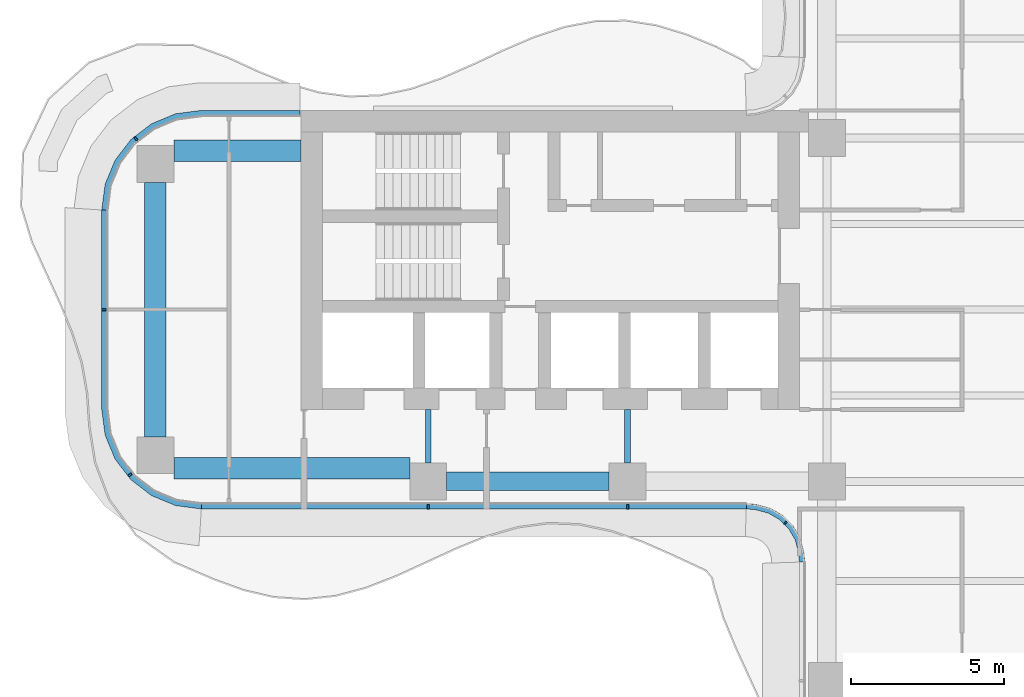
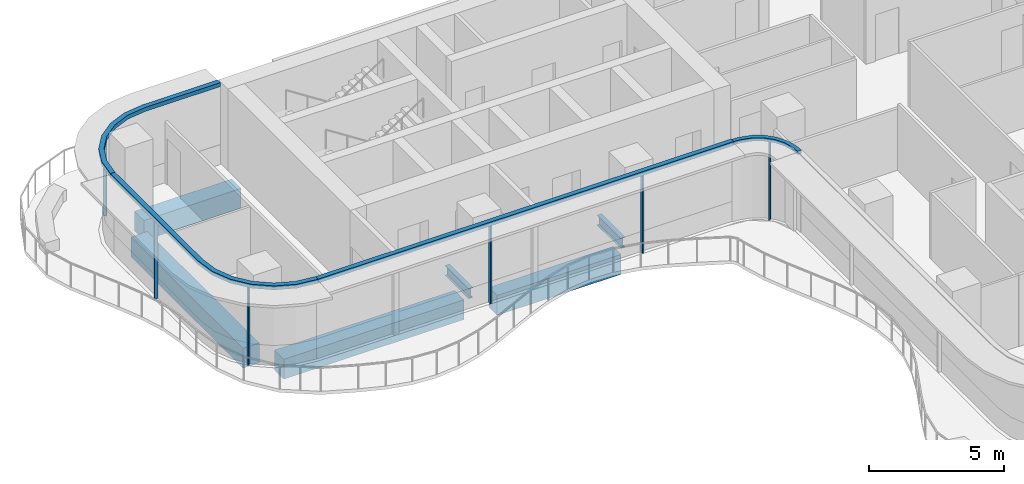
# One storey, part 3 of 18: 10 members, 6 beams, 4 elements without a shape of their own.
"""IFC4 building model written with IfcOpenShell, lengths in metres."""

from ifc_helpers import new_model, si_unit, direction, frame, origin, origin_2d, place, context, subcontext, project, spatial, polyline, rectangle, i_section, outline, extrude, source, transform, mapped, material, layer, layer_set, material_profile, profile_set, type_object, element, aggregate, save


model = new_model("IFC4")

# Units and contexts
model_context = context("Model", 3, precision=1e-05, world=origin(), true_north=direction((0.0, 1.0)))
body_context = subcontext(model_context, "Body", "Model", "MODEL_VIEW")
ifc_project = project(units=[si_unit("LENGTHUNIT", "METRE"), si_unit("AREAUNIT", "SQUARE_METRE"), si_unit("VOLUMEUNIT", "CUBIC_METRE"), si_unit("PLANEANGLEUNIT", "RADIAN"), si_unit("MASSUNIT", "GRAM", prefix="KILO")], contexts=[model_context])

# Site, building, storey
site_placement = place(None, origin())
site = spatial("IfcSite", under=ifc_project, at=site_placement, CompositionType="ELEMENT")
building_placement = place(site_placement, origin())
building = spatial("IfcBuilding", under=site, at=building_placement, Name="Trellis Farm Tower", CompositionType="ELEMENT")
storey_placement = place(building_placement, frame((0.0, 0.0, 201.0)))
storey = spatial("IfcBuildingStorey", under=building, at=storey_placement, Name="L44", CompositionType="ELEMENT", Elevation=201.0)

# Beams
ifc_material_1 = material(Name="Concrete C60/75", Category="concrete")
ifc_material_profile_1 = material_profile(ifc_material_1, rectangle(XDim=0.60009765625, YDim=0.89990234375, at=origin_2d()), Name="RC spandrel beam 600x900 C60/75")
ifc_profile_set_1 = profile_set([ifc_material_profile_1], Name="Concrete C60/75")
beam_type_1 = type_object("IfcBeamType", Name="RC spandrel beam 600x900 C60/75", PredefinedType="SPANDREL", material=ifc_profile_set_1)
shared_shape_1 = source(origin(), body_context, "Body", "SweptSolid", [
    extrude(rectangle(XDim=0.60009765625, YDim=0.89990234375, at=origin_2d()), origin(), (0.0, 0.0, 1.0), 5.300048828125),
])
beam_1_placement = place(storey_placement, frame((-18.0, -5.60009765625, -0.64990234375), z_axis=(1.0, 0.0, 0.0), x_axis=(0.0, 1.0, 0.0)))
element("IfcBeam", 1, at=beam_1_placement, inside=storey, type_object=beam_type_1, Name="Girder", PredefinedType="SPANDREL", context=body_context, shape_type="MappedRepresentation", body=[
    mapped(shared_shape_1, transform((0.0, 0.0, 0.0))),
])
ifc_material_profile_2 = material_profile(ifc_material_1, rectangle(XDim=0.699951171875, YDim=0.89990234375, at=origin_2d()), Name="RC spandrel beam 700x900 C60/75")
ifc_profile_set_2 = profile_set([ifc_material_profile_2], Name="Concrete C60/75")
beam_type_2 = type_object("IfcBeamType", Name="RC spandrel beam 700x900 C60/75", PredefinedType="SPANDREL", material=ifc_profile_set_2)
shared_shape_2 = source(origin(), body_context, "Body", "SweptSolid", [
    extrude(rectangle(XDim=0.699951171875, YDim=0.89990234375, at=origin_2d()), origin(), (0.0, 0.0, 1.0), 8.2998046875),
])
beam_2_placement = place(storey_placement, frame((-27.5, -4.14990234375, -0.64990234375), z_axis=(0.0, 1.0, 0.0), x_axis=(-1.0, 0.0, 0.0)))
element("IfcBeam", 2, at=beam_2_placement, inside=storey, type_object=beam_type_2, Name="Girder", PredefinedType="SPANDREL", context=body_context, shape_type="MappedRepresentation", body=[
    mapped(shared_shape_2, transform((0.0, 0.0, 0.0))),
])
ifc_material_2 = material(Name="Steel S355", Category="steel")
ifc_material_profile_3 = material_profile(ifc_material_2, i_section(OverallWidth=0.1904296875, OverallDepth=0.45703125, WebThickness=0.009033203125, FlangeThickness=0.014404296875, FilletRadius=0.01025390625, at=origin_2d()), Name="UB 457x191x74")
ifc_profile_set_3 = profile_set([ifc_material_profile_3], Name="Steel S355")
beam_type_3 = type_object("IfcBeamType", Name="UB 457x191x74", PredefinedType="BEAM", material=ifc_profile_set_3)
shared_shape_3 = source(origin(), body_context, "Body", "SweptSolid", [
    extrude(i_section(OverallWidth=0.1904296875, OverallDepth=0.45703125, WebThickness=0.009033203125, FlangeThickness=0.014404296875, FilletRadius=0.01025390625, at=origin_2d()), origin(), (0.0, 0.0, 1.0), 1.75),
])
for number, where, z_axis, x_axis, name in (
    (3, (-18.60009765625, -5.0, -0.428466796875), (0.0, 1.0, 0.0), (-1.0, 0.0, 0.0), "Girder"),
    (4, (-12.10009765625, -5.0, -0.428466796875), (0.0, 1.0, 0.0), (-1.0, 0.0, 0.0), "Girder"),
):
    element("IfcBeam", number, at=place(storey_placement, frame(where, z_axis=z_axis, x_axis=x_axis)), inside=storey, type_object=beam_type_3, Name=name, PredefinedType="BEAM", context=body_context, shape_type="MappedRepresentation", body=[
        mapped(shared_shape_3, transform((0.0, 0.0, 0.0))),
    ])
shared_shape_4 = source(origin(), body_context, "Body", "SweptSolid", [
    extrude(rectangle(XDim=0.699951171875, YDim=0.89990234375, at=origin_2d()), origin(), (0.0, 0.0, 1.0), 7.699951171875),
])
beam_3_placement = place(storey_placement, frame((-26.89990234375, -5.175048828125, -0.64990234375), z_axis=(1.0, 0.0, 0.0), x_axis=(0.0, 1.0, 0.0)))
element("IfcBeam", 5, at=beam_3_placement, inside=storey, type_object=beam_type_2, Name="Girder", PredefinedType="SPANDREL", context=body_context, shape_type="MappedRepresentation", body=[
    mapped(shared_shape_4, transform((0.0, 0.0, 0.0))),
])
shared_shape_5 = source(origin(), body_context, "Body", "SweptSolid", [
    extrude(rectangle(XDim=0.699951171875, YDim=0.89990234375, at=origin_2d()), origin(), (0.0, 0.0, 1.0), 4.14990234375),
])
beam_4_placement = place(storey_placement, frame((-26.89990234375, 5.175048828125, -0.64990234375), z_axis=(1.0, 0.0, 0.0), x_axis=(0.0, 1.0, 0.0)))
element("IfcBeam", 6, at=beam_4_placement, inside=storey, type_object=beam_type_2, Name="Girder", PredefinedType="SPANDREL", context=body_context, shape_type="MappedRepresentation", body=[
    mapped(shared_shape_5, transform((0.0, 0.0, 0.0))),
])

# Curtain wall, member
ifc_material_3 = material(Name="Aluminium and glass curtain wall", Category="aluminium")
ifc_layer_1 = layer(ifc_material_3, 0.166015625)
ifc_layer_set_1 = layer_set([ifc_layer_1], Name="WINTER GARDEN CURTAIN WALL CW3")
curtain_wall_type_1 = type_object("IfcCurtainWallType", Name="WINTER GARDEN CURTAIN WALL CW3", PredefinedType="NOTDEFINED", material=ifc_layer_set_1)
placement_1 = place(storey_placement, origin())
curtain_wall_1 = element("IfcCurtainWall", 7, at=placement_1, inside=storey, type_object=curtain_wall_type_1, Name="CW3 001", PredefinedType="NOTDEFINED")
ifc_material_4 = material(Name="Aluminium extrusion 6063-T6", Category="aluminium")
ifc_layer_2 = layer(ifc_material_4, 0.169921875)
ifc_layer_set_2 = layer_set([ifc_layer_2], Name="Aluminium extrusion 6063-T6")
member_type_1 = type_object("IfcMemberType", Name="CW3 TRANSOM 170x150", PredefinedType="USERDEFINED", material=ifc_layer_set_2)
shared_shape_6 = source(origin(), body_context, "Body", "SweptSolid", [
    extrude(outline(polyline([(-8.2314453125, -6.5), (-8.01953125, -6.513916015625), (-7.91552734375, -6.527587890625), (-7.508544921875, -6.63671875), (-7.144287109375, -6.846923828125), (-6.846923828125, -7.144287109375), (-6.63671875, -7.508544921875), (-6.527587890625, -7.91552734375), (-6.513916015625, -8.01953125), (-6.5, -8.2314453125), (-6.330078125, -8.225830078125), (-6.3447265625, -8.0029296875), (-6.360595703125, -7.88232421875), (-6.478271484375, -7.44287109375), (-6.7109375, -7.0400390625), (-7.0400390625, -6.7109375), (-7.44287109375, -6.478271484375), (-7.88232421875, -6.360595703125), (-8.0029296875, -6.3447265625), (-8.225830078125, -6.330078125), (-8.2314453125, -6.5)])), origin(), (0.0, 0.0, 1.0), 0.14990234375),
])
member_1_placement = place(storey_placement, frame((0.0, 0.0, 3.550048828125)))
member_1 = element("IfcMember", 8, at=member_1_placement, type_object=member_type_1, Name="TR3 001", ObjectType="TRANSOM", PredefinedType="USERDEFINED", context=body_context, shape_type="MappedRepresentation", body=[
    mapped(shared_shape_6, transform((0.0, 0.0, 0.0))),
])

# Curtain wall, members
ifc_layer_3 = layer(ifc_material_3, 0.18994140625)
ifc_layer_set_3 = layer_set([ifc_layer_3], Name="RIBBON CURTAIN WALL CW1")
curtain_wall_type_2 = type_object("IfcCurtainWallType", Name="RIBBON CURTAIN WALL CW1", PredefinedType="NOTDEFINED", material=ifc_layer_set_3)
curtain_wall_2 = element("IfcCurtainWall", 9, at=placement_1, inside=storey, type_object=curtain_wall_type_2, Name="CW1 001", PredefinedType="NOTDEFINED")
ifc_material_profile_4 = material_profile(ifc_material_4, rectangle(XDim=0.06005859375, YDim=0.14990234375, at=origin_2d()), Name="MULLION 60x150")
ifc_profile_set_4 = profile_set([ifc_material_profile_4], Name="Aluminium extrusion 6063-T6")
member_type_2 = type_object("IfcMemberType", Name="CW1 MULLION 60x150", PredefinedType="MULLION", material=ifc_profile_set_4)
shared_shape_7 = source(origin(), body_context, "Body", "SweptSolid", [
    extrude(rectangle(XDim=0.06005859375, YDim=0.14990234375, at=origin_2d()), origin(), (0.0, 0.0, 1.0), 3.52001953125),
])
member_2_placement = place(storey_placement, frame((-18.60009765625, -6.425048828125, 0.0), z_axis=(0.0, 0.0, 1.0), x_axis=(1.0, 0.0, 0.0)))
member_2 = element("IfcMember", 10, at=member_2_placement, type_object=member_type_2, Name="MU1 001-01", PredefinedType="MULLION", context=body_context, shape_type="MappedRepresentation", body=[
    mapped(shared_shape_7, transform((0.0, 0.0, 0.0))),
])
member_3_placement = place(storey_placement, frame((-12.10009765625, -6.425048828125, 0.0), z_axis=(0.0, 0.0, 1.0), x_axis=(1.0, 0.0, 0.0)))
member_3 = element("IfcMember", 11, at=member_3_placement, type_object=member_type_2, Name="MU1 001-02", PredefinedType="MULLION", context=body_context, shape_type="MappedRepresentation", body=[
    mapped(shared_shape_7, transform((0.0, 0.0, 0.0))),
])

# Curtain wall, member
curtain_wall_3 = element("IfcCurtainWall", 12, at=placement_1, inside=storey, type_object=curtain_wall_type_2, Name="CW1 012", PredefinedType="NOTDEFINED")
member_4_placement = place(storey_placement, frame((-28.135498046875, 5.578369140625, 0.0), z_axis=(0.0, 0.0, 1.0), x_axis=(-0.793353340291, -0.608761429009, 0.0)))
member_4 = element("IfcMember", 13, at=member_4_placement, type_object=member_type_2, Name="MU1 012-01", PredefinedType="MULLION", context=body_context, shape_type="MappedRepresentation", body=[
    mapped(shared_shape_7, transform((0.0, 0.0, 0.0))),
])

# Curtain wall, members
curtain_wall_4 = element("IfcCurtainWall", 14, at=placement_1, inside=storey, type_object=curtain_wall_type_2, Name="CW1 013", PredefinedType="NOTDEFINED")
member_5_placement = place(storey_placement, frame((-29.175048828125, 0.0, 0.0), z_axis=(0.0, 0.0, 1.0), x_axis=(0.0, -1.0, 0.0)))
member_5 = element("IfcMember", 15, at=member_5_placement, type_object=member_type_2, Name="MU1 013-01", PredefinedType="MULLION", context=body_context, shape_type="MappedRepresentation", body=[
    mapped(shared_shape_7, transform((0.0, 0.0, 0.0))),
])
member_6_placement = place(storey_placement, frame((-28.328369140625, -5.385498046875, 0.0), z_axis=(0.0, 0.0, 1.0), x_axis=(0.608761429009, -0.793353340291, 0.0)))
member_6 = element("IfcMember", 16, at=member_6_placement, type_object=member_type_2, Name="MU1 013-02", PredefinedType="MULLION", context=body_context, shape_type="MappedRepresentation", body=[
    mapped(shared_shape_7, transform((0.0, 0.0, 0.0))),
])

# Member
ifc_material_profile_5 = material_profile(ifc_material_4, rectangle(XDim=0.050048828125, YDim=0.1201171875, at=origin_2d()), Name="MULLION 50x120")
ifc_profile_set_5 = profile_set([ifc_material_profile_5], Name="Aluminium extrusion 6063-T6")
member_type_3 = type_object("IfcMemberType", Name="CW3 MULLION 50x120", PredefinedType="MULLION", material=ifc_profile_set_5)
shared_shape_8 = source(origin(), body_context, "Body", "SweptSolid", [
    extrude(rectangle(XDim=0.050048828125, YDim=0.1201171875, at=origin_2d()), origin(), (0.0, 0.0, 1.0), 3.550048828125),
])
member_7_placement = place(storey_placement, frame((-6.953125, -6.953125, 0.0), z_axis=(0.0, 0.0, 1.0), x_axis=(0.707106781187, -0.707106781187, 0.0)))
member_7 = element("IfcMember", 17, at=member_7_placement, type_object=member_type_3, Name="MU3 001-01", PredefinedType="MULLION", context=body_context, shape_type="MappedRepresentation", body=[
    mapped(shared_shape_8, transform((0.0, 0.0, 0.0))),
])

aggregate(curtain_wall_1, [member_7, member_1])

ifc_layer_4 = layer(ifc_material_4, 0.199951171875)
ifc_layer_set_4 = layer_set([ifc_layer_4], Name="Aluminium extrusion 6063-T6")
member_type_4 = type_object("IfcMemberType", Name="CW1 TRANSOM 200x180", PredefinedType="USERDEFINED", material=ifc_layer_set_4)
shared_shape_9 = source(origin(), body_context, "Body", "SweptSolid", [
    extrude(outline(polyline([(-26.0, -6.5), (-8.2314453125, -6.5), (-8.224853515625, -6.300048828125), (-25.98681640625, -6.300048828125), (-26.0, -6.5)])), origin(), (0.0, 0.0, 1.0), 0.179931640625),
])
placement_2 = place(storey_placement, frame((0.0, 0.0, 3.52001953125)))
member_8 = element("IfcMember", 18, at=placement_2, type_object=member_type_4, Name="TR1 001", ObjectType="TRANSOM", PredefinedType="USERDEFINED", context=body_context, shape_type="MappedRepresentation", body=[
    mapped(shared_shape_9, transform((0.0, 0.0, 0.0))),
])

aggregate(curtain_wall_2, [member_2, member_3, member_8])

shared_shape_10 = source(origin(), body_context, "Body", "SweptSolid", [
    extrude(outline(polyline([(-22.780029296875, 6.5), (-26.0, 6.5), (-26.841064453125, 6.38916015625), (-27.625, 6.064697265625), (-28.298095703125, 5.548095703125), (-28.814697265625, 4.875), (-29.13916015625, 4.091064453125), (-29.25, 3.25), (-29.050048828125, 3.23681640625), (-28.9443359375, 4.0390625), (-28.639892578125, 4.774169921875), (-28.155517578125, 5.405517578125), (-27.524169921875, 5.889892578125), (-26.7890625, 6.1943359375), (-25.98681640625, 6.300048828125), (-22.780029296875, 6.300048828125), (-22.780029296875, 6.5)])), origin(), (0.0, 0.0, 1.0), 0.179931640625),
])
member_9 = element("IfcMember", 19, at=placement_2, type_object=member_type_4, Name="TR1 012", ObjectType="TRANSOM", PredefinedType="USERDEFINED", context=body_context, shape_type="MappedRepresentation", body=[
    mapped(shared_shape_10, transform((0.0, 0.0, 0.0))),
])

aggregate(curtain_wall_3, [member_4, member_9])

shared_shape_11 = source(origin(), body_context, "Body", "SweptSolid", [
    extrude(outline(polyline([(-29.25, 3.25), (-29.25, -3.25), (-29.13916015625, -4.091064453125), (-28.814697265625, -4.875), (-28.298095703125, -5.548095703125), (-27.625, -6.064697265625), (-26.841064453125, -6.38916015625), (-26.0, -6.5), (-25.98681640625, -6.300048828125), (-26.7890625, -6.1943359375), (-27.524169921875, -5.889892578125), (-28.155517578125, -5.405517578125), (-28.639892578125, -4.774169921875), (-28.9443359375, -4.0390625), (-29.050048828125, -3.23681640625), (-29.050048828125, 3.23681640625), (-29.25, 3.25)])), origin(), (0.0, 0.0, 1.0), 0.179931640625),
])
member_10 = element("IfcMember", 20, at=placement_2, type_object=member_type_4, Name="TR1 013", ObjectType="TRANSOM", PredefinedType="USERDEFINED", context=body_context, shape_type="MappedRepresentation", body=[
    mapped(shared_shape_11, transform((0.0, 0.0, 0.0))),
])

aggregate(curtain_wall_4, [member_5, member_6, member_10])

save(model, "model.ifc")
